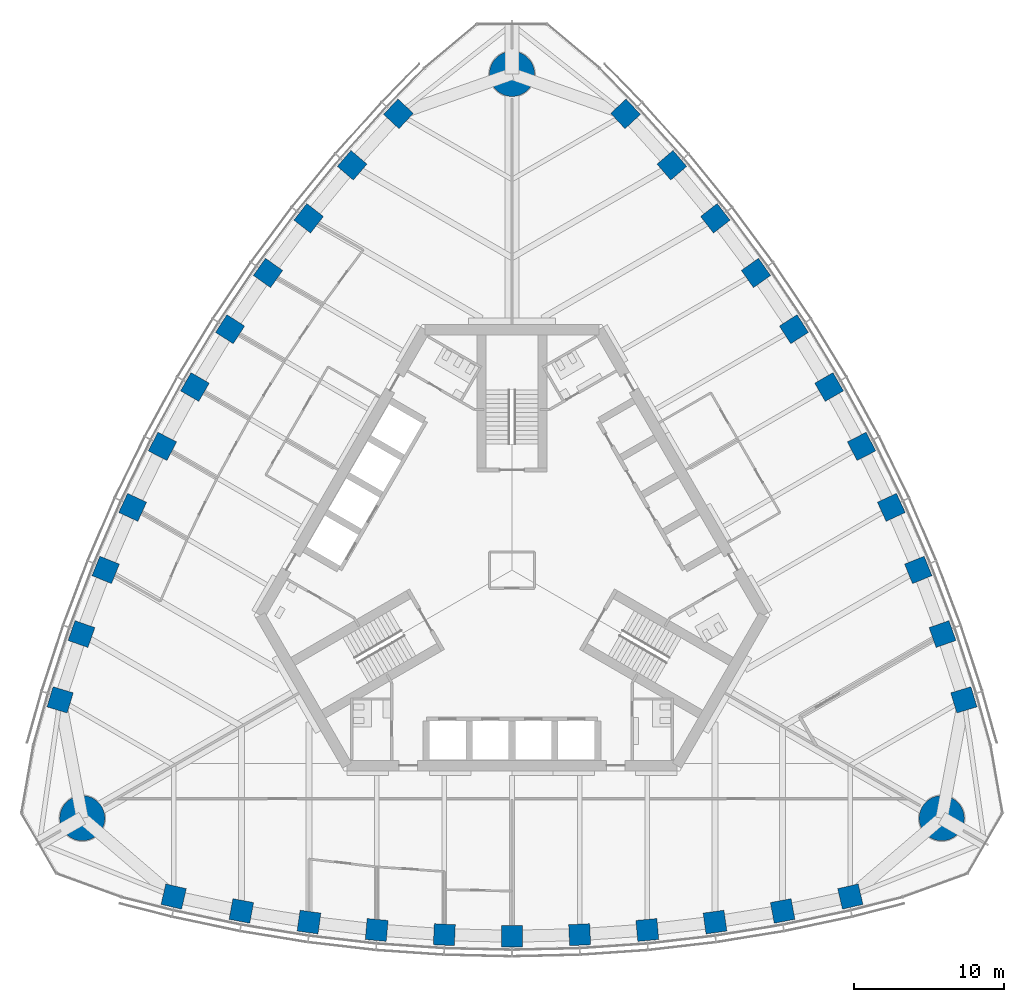
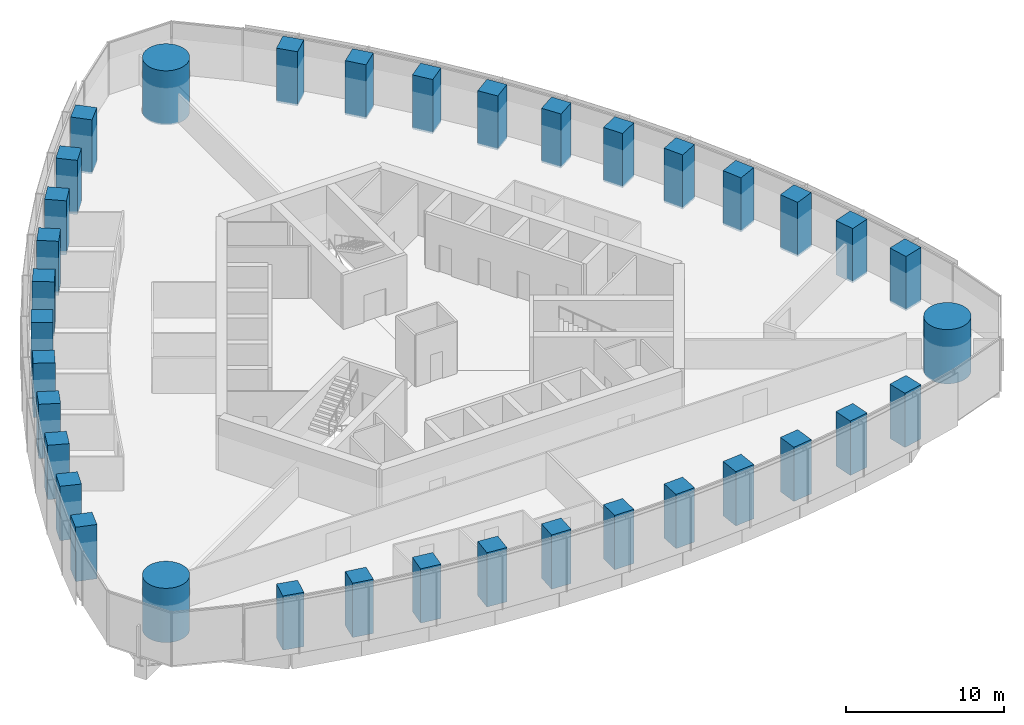
# One storey, part 1 of 19: 36 columns.
"""IFC4 building model written with IfcOpenShell, lengths in metres."""

from ifc_helpers import new_model, si_unit, direction, frame, origin, origin_2d, place, context, subcontext, project, spatial, rectangle, circle, extrude, material, material_profile, profile_set, type_object, element, save


model = new_model("IFC4")

# Units and contexts
model_context = context("Model", 3, precision=1e-05, world=origin(), true_north=direction((0.0, 1.0)))
body_context = subcontext(model_context, "Body", "Model", "MODEL_VIEW")
ifc_project = project(units=[si_unit("LENGTHUNIT", "METRE"), si_unit("AREAUNIT", "SQUARE_METRE"), si_unit("VOLUMEUNIT", "CUBIC_METRE"), si_unit("PLANEANGLEUNIT", "RADIAN"), si_unit("MASSUNIT", "GRAM", prefix="KILO")], contexts=[model_context])

# Site, building, storey
site_placement = place(None, origin())
site = spatial("IfcSite", under=ifc_project, at=site_placement, CompositionType="ELEMENT")
building_placement = place(site_placement, origin())
building = spatial("IfcBuilding", under=site, at=building_placement, Name="Trefoil Bronze Tower", CompositionType="ELEMENT")
storey_placement = place(building_placement, frame((0.0, 0.0, 244.300048828125)))
storey = spatial("IfcBuildingStorey", under=building, at=storey_placement, Name="L56", CompositionType="ELEMENT", Elevation=244.300048828125)

# Columns
ifc_material_1 = material(Name="Concrete B80", Category="concrete")
ifc_material_profile_1 = material_profile(ifc_material_1, circle(Radius=1.5, at=origin_2d()), Name="RC D3000")
ifc_profile_set_1 = profile_set([ifc_material_profile_1], Name="Concrete B80")
column_type_1 = type_object("IfcColumnType", Name="Mega column RC D3000", PredefinedType="COLUMN", material=ifc_profile_set_1)
for number, where, z_axis, x_axis, name in (
    (1, (28.578857421875, -16.5, 0.0), (0.0, 0.0, 1.0), (1.0, 0.0, 0.0), "Mega column K1 L56"),
    (2, (0.0, 33.0, 0.0), (0.0, 0.0, 1.0), (1.0, 0.0, 0.0), "Mega column K2 L56"),
    (3, (-28.578857421875, -16.5, 0.0), (0.0, 0.0, 1.0), (1.0, 0.0, 0.0), "Mega column K3 L56"),
):
    element("IfcColumn", number, at=place(storey_placement, frame(where, z_axis=z_axis, x_axis=x_axis)), inside=storey, type_object=column_type_1, Name=name, PredefinedType="COLUMN", context=body_context, shape_type="SweptSolid", body=[
        extrude(circle(Radius=1.5, at=origin_2d()), origin(), (0.0, 0.0, 1.0), 4.199951171875),
    ])
ifc_material_2 = material(Name="Concrete B80", Category="concrete")
ifc_material_profile_2 = material_profile(ifc_material_2, rectangle(XDim=1.39990234375, YDim=1.39990234375, at=origin_2d()), Name="RC 1400x1400")
ifc_profile_set_2 = profile_set([ifc_material_profile_2], Name="Concrete B80")
column_type_2 = type_object("IfcColumnType", Name="Tube column RC 1400x1400", PredefinedType="COLUMN", material=ifc_profile_set_2)
for number, where, z_axis, x_axis, name in (
    (4, (-22.5, -21.71044921875, 0.0), (0.0, 0.0, 1.0), (0.973875487093, -0.227082662569, 0.0), "Tube column F1/-5 L56"),
    (5, (-18.0, -22.6689453125, 0.0), (0.0, 0.0, 1.0), (0.982958917767, -0.183825368167, 0.0), "Tube column F1/-4 L56"),
    (6, (-13.5, -23.408447265625, 0.0), (0.0, 0.0, 1.0), (0.990450627582, -0.137867887204, 0.0), "Tube column F1/-3 L56"),
    (7, (-9.0, -23.932861328125, 0.0), (0.0, 0.0, 1.0), (0.995767189263, -0.091911396394, 0.0), "Tube column F1/-2 L56"),
    (8, (-4.5, -24.246337890625, 0.0), (0.0, 0.0, 1.0), (0.998943485952, -0.045955542372, 0.0), "Tube column F1/-1 L56"),
    (9, (0.0, -24.3505859375, 0.0), (0.0, 0.0, 1.0), (1.0, 0.0, 0.0), "Tube column F1/+0 L56"),
    (10, (4.5, -24.246337890625, 0.0), (0.0, 0.0, 1.0), (0.998943485952, 0.045955542372, 0.0), "Tube column F1/+1 L56"),
    (11, (9.0, -23.932861328125, 0.0), (0.0, 0.0, 1.0), (0.995767189263, 0.091911396394, 0.0), "Tube column F1/+2 L56"),
    (12, (13.5, -23.408447265625, 0.0), (0.0, 0.0, 1.0), (0.990450627582, 0.137867887204, 0.0), "Tube column F1/+3 L56"),
    (13, (18.0, -22.6689453125, 0.0), (0.0, 0.0, 1.0), (0.982958917767, 0.183825368167, 0.0), "Tube column F1/+4 L56"),
    (14, (22.5, -21.71044921875, 0.0), (0.0, 0.0, 1.0), (0.973875487093, 0.227082662569, 0.0), "Tube column F1/+5 L56"),
    (15, (30.052001953125, -8.63037109375, 0.0), (0.0, 0.0, 1.0), (-0.290278389002, 0.95694224323, 0.0), "Tube column F2/-5 L56"),
    (16, (28.632080078125, -4.25390625, 0.0), (0.0, 0.0, 1.0), (-0.332282020191, 0.943180077746, 0.0), "Tube column F2/-4 L56"),
    (17, (27.022216796875, 0.012939453125, 0.0), (0.0, 0.0, 1.0), (-0.375828221106, 0.926689348282, 0.0), "Tube column F2/-3 L56"),
    (18, (25.2265625, 4.17236328125, 0.0), (0.0, 0.0, 1.0), (-0.418285990457, 0.908315380354, 0.0), "Tube column F2/-2 L56"),
    (19, (23.248046875, 8.22607421875, 0.0), (0.0, 0.0, 1.0), (-0.459673075837, 0.888088206965, 0.0), "Tube column F2/-1 L56"),
    (20, (21.08837890625, 12.17529296875, 0.0), (0.0, 0.0, 1.0), (-0.5, 0.866025403784, 0.0), "Tube column F2/+0 L56"),
    (21, (18.748046875, 16.020263671875, 0.0), (0.0, 0.0, 1.0), (-0.539270410114, 0.842132664593, 0.0), "Tube column F2/+1 L56"),
    (22, (16.2265625, 19.7607421875, 0.0), (0.0, 0.0, 1.0), (-0.577481198806, 0.81640398396, 0.0), "Tube column F2/+2 L56"),
    (23, (13.522216796875, 23.3955078125, 0.0), (0.0, 0.0, 1.0), (-0.614622406476, 0.788821461078, 0.0), "Tube column F2/+3 L56"),
    (24, (10.632080078125, 26.923095703125, 0.0), (0.0, 0.0, 1.0), (-0.650676897576, 0.75935470958, 0.0), "Tube column F2/+4 L56"),
    (25, (7.552001953125, 30.3408203125, 0.0), (0.0, 0.0, 1.0), (-0.683597098091, 0.729859580661, 0.0), "Tube column F2/+5 L56"),
    (26, (-7.552001953125, 30.3408203125, 0.0), (0.0, 0.0, 1.0), (-0.683597098091, -0.729859580661, 0.0), "Tube column F3/-5 L56"),
    (27, (-10.632080078125, 26.923095703125, 0.0), (0.0, 0.0, 1.0), (-0.650676897576, -0.75935470958, 0.0), "Tube column F3/-4 L56"),
    (28, (-13.522216796875, 23.3955078125, 0.0), (0.0, 0.0, 1.0), (-0.614622406476, -0.788821461078, 0.0), "Tube column F3/-3 L56"),
    (29, (-16.2265625, 19.7607421875, 0.0), (0.0, 0.0, 1.0), (-0.577481198806, -0.81640398396, 0.0), "Tube column F3/-2 L56"),
    (30, (-18.748046875, 16.020263671875, 0.0), (0.0, 0.0, 1.0), (-0.539270410114, -0.842132664593, 0.0), "Tube column F3/-1 L56"),
    (31, (-21.08837890625, 12.17529296875, 0.0), (0.0, 0.0, 1.0), (-0.5, -0.866025403784, 0.0), "Tube column F3/+0 L56"),
    (32, (-23.248046875, 8.22607421875, 0.0), (0.0, 0.0, 1.0), (-0.459673075837, -0.888088206965, 0.0), "Tube column F3/+1 L56"),
    (33, (-25.2265625, 4.17236328125, 0.0), (0.0, 0.0, 1.0), (-0.418285990457, -0.908315380354, 0.0), "Tube column F3/+2 L56"),
    (34, (-27.022216796875, 0.012939453125, 0.0), (0.0, 0.0, 1.0), (-0.375828221106, -0.926689348282, 0.0), "Tube column F3/+3 L56"),
    (35, (-28.632080078125, -4.25390625, 0.0), (0.0, 0.0, 1.0), (-0.332282020191, -0.943180077746, 0.0), "Tube column F3/+4 L56"),
    (36, (-30.052001953125, -8.63037109375, 0.0), (0.0, 0.0, 1.0), (-0.290278389002, -0.95694224323, 0.0), "Tube column F3/+5 L56"),
):
    element("IfcColumn", number, at=place(storey_placement, frame(where, z_axis=z_axis, x_axis=x_axis)), inside=storey, type_object=column_type_2, Name=name, PredefinedType="COLUMN", context=body_context, shape_type="SweptSolid", body=[
        extrude(rectangle(XDim=1.39990234375, YDim=1.39990234375, at=origin_2d()), origin(), (0.0, 0.0, 1.0), 4.199951171875),
    ])

save(model, "model.ifc")
